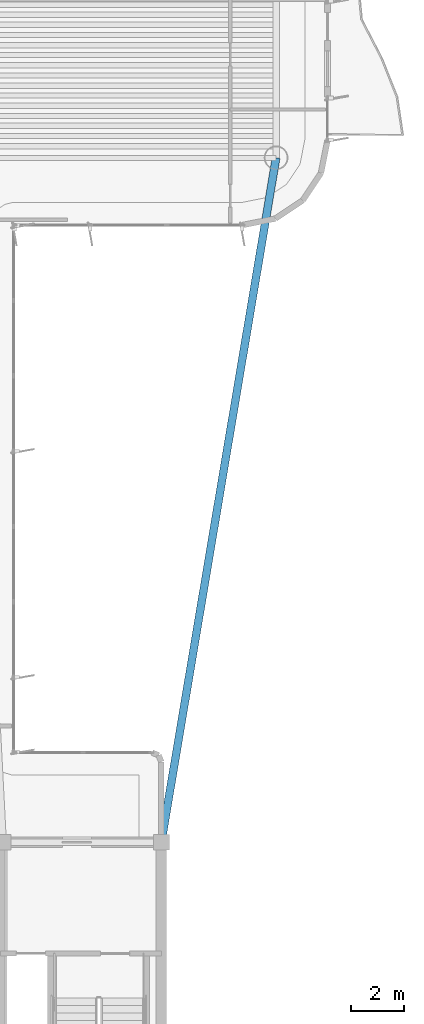
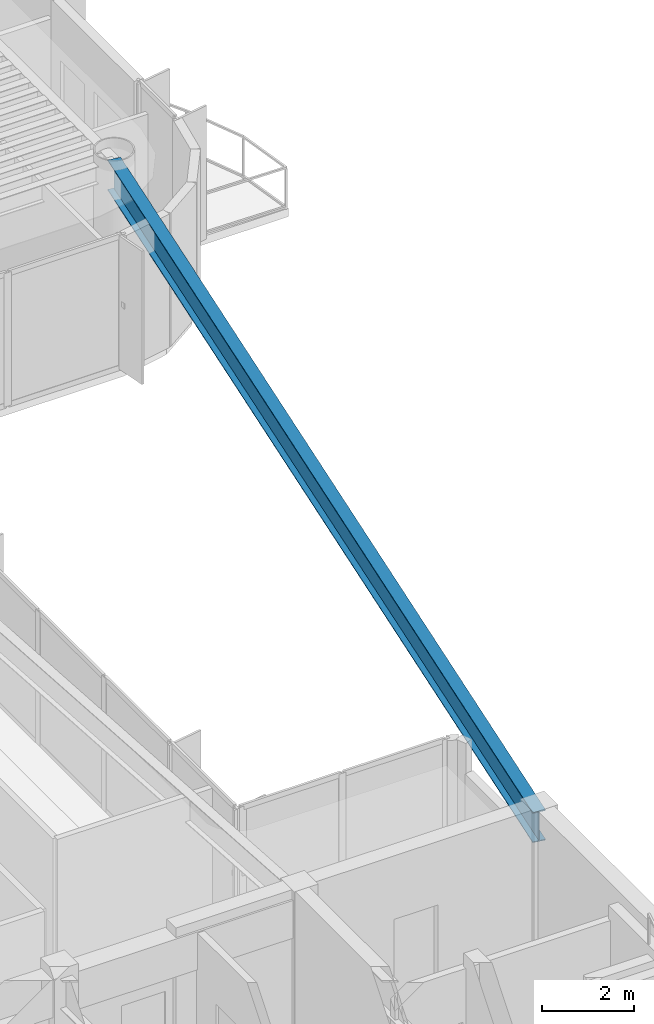
# One storey, part 4 of 16: 1 beam.
"""IFC4 building model written with IfcOpenShell, lengths in metres."""

from ifc_helpers import new_model, si_unit, direction, frame, origin, origin_2d, place, context, subcontext, project, spatial, i_section, extrude, source, transform, mapped, material, material_profile, profile_set, type_object, element, save


model = new_model("IFC4")

# Units and contexts
model_context = context("Model", 3, precision=1e-05, world=origin(), true_north=direction((0.0, 1.0)))
body_context = subcontext(model_context, "Body", "Model", "MODEL_VIEW")
ifc_project = project(units=[si_unit("LENGTHUNIT", "METRE"), si_unit("AREAUNIT", "SQUARE_METRE"), si_unit("VOLUMEUNIT", "CUBIC_METRE"), si_unit("PLANEANGLEUNIT", "RADIAN"), si_unit("MASSUNIT", "GRAM", prefix="KILO")], contexts=[model_context])

# Site, building, storey
site_placement = place(None, origin())
site = spatial("IfcSite", under=ifc_project, at=site_placement, CompositionType="ELEMENT")
building_placement = place(site_placement, origin())
building = spatial("IfcBuilding", under=site, at=building_placement, Name="Brelvock Crest Care Tower", CompositionType="ELEMENT")
storey_placement = place(building_placement, frame((0.0, 0.0, 226.800048828125)))
storey = spatial("IfcBuildingStorey", under=building, at=storey_placement, Name="L57", CompositionType="ELEMENT", Elevation=226.800048828125)

# Beam
ifc_material = material(Name="Steel Grade 350", Category="steel")
ifc_material_profile = material_profile(ifc_material, i_section(OverallWidth=0.300048828125, OverallDepth=0.800048828125, WebThickness=0.013916015625, FlangeThickness=0.02197265625, at=origin_2d()), Name="800WB192")
ifc_profile_set = profile_set([ifc_material_profile], Name="Steel Grade 350")
beam_type = type_object("IfcBeamType", Name="BM-G5", PredefinedType="BEAM", material=ifc_profile_set)
shared_shape = source(origin(), body_context, "Body", "SweptSolid", [
    extrude(i_section(OverallWidth=0.300048828125, OverallDepth=0.800048828125, WebThickness=0.013916015625, FlangeThickness=0.02197265625, at=origin_2d()), origin(), (0.0, 0.0, 1.0), 26.31201171875),
])
beam_placement = place(storey_placement, frame((48.0, 18.0, 3.1298828125), z_axis=(0.165327282709, 0.986238758918, 0.0), x_axis=(-0.986238758918, 0.165327282709, 0.0)))
element("IfcBeam", 1, at=beam_placement, inside=storey, type_object=beam_type, Name="BM-THRO-E-L57", PredefinedType="BEAM", context=body_context, shape_type="MappedRepresentation", body=[
    mapped(shared_shape, transform((0.0, 0.0, 0.0), x_axis=(1.0, 0.0, 0.0), y_axis=(0.0, 1.0, 0.0), z_axis=(0.0, 0.0, 1.0), scale=1.0)),
])

save(model, "model.ifc")
